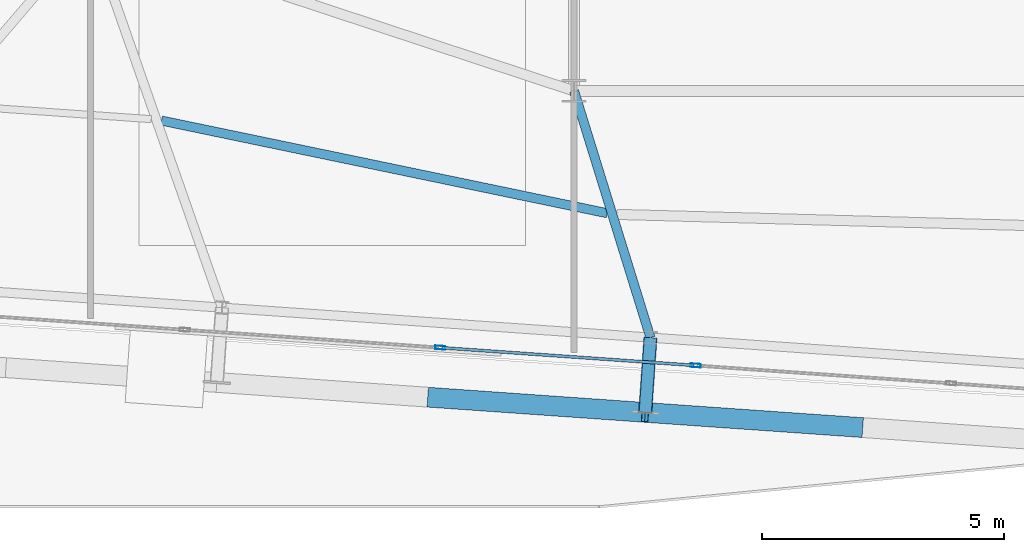
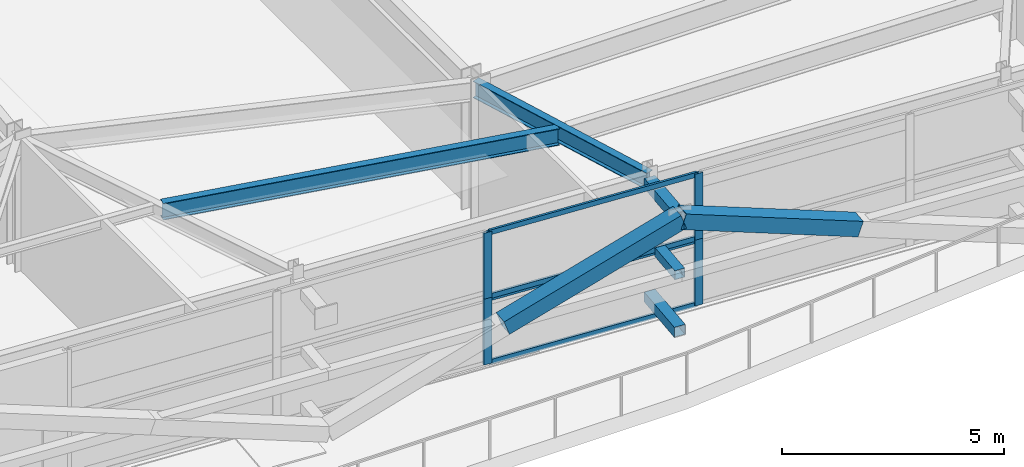
# One storey, part 8 of 36: 13 members, 2 beams, 2 elements without a shape of their own.
"""IFC4 building model written with IfcOpenShell, lengths in metres."""

from ifc_helpers import new_model, si_unit, direction, frame, origin, origin_2d, place, context, subcontext, project, spatial, hollow_rectangle, i_section, extrude, source, transform, mapped, material, layer, layer_set, material_profile, profile_set, type_object, element, aggregate, save


model = new_model("IFC4")

# Units and contexts
model_context = context("Model", 3, precision=1e-05, world=origin(), true_north=direction((0.0, 1.0)))
body_context = subcontext(model_context, "Body", "Model", "MODEL_VIEW")
ifc_project = project(units=[si_unit("LENGTHUNIT", "METRE"), si_unit("AREAUNIT", "SQUARE_METRE"), si_unit("VOLUMEUNIT", "CUBIC_METRE"), si_unit("PLANEANGLEUNIT", "RADIAN"), si_unit("MASSUNIT", "GRAM", prefix="KILO")], contexts=[model_context])

# Site, building, storey
site_placement = place(None, origin())
site = spatial("IfcSite", under=ifc_project, at=site_placement, CompositionType="ELEMENT")
building_placement = place(site_placement, origin())
building = spatial("IfcBuilding", under=site, at=building_placement, Name="Taldren Reach Tower", CompositionType="ELEMENT")
storey_placement = place(building_placement, frame((0.0, 0.0, 116.550048828125)))
storey = spatial("IfcBuildingStorey", under=building, at=storey_placement, Name="L35", CompositionType="ELEMENT", Elevation=116.550048828125)

# Members
ifc_material_1 = material(Name="Steel Gr 450 (C450L0)", Category="steel")
ifc_material_profile_1 = material_profile(ifc_material_1, hollow_rectangle(XDim=0.27490234375, YDim=0.27490234375, WallThickness=0.00927734375, at=origin_2d()), Name="275x275x9.3SHS")
ifc_profile_set_1 = profile_set([ifc_material_profile_1], Name="Steel Gr 450 (C450L0)")
member_type_1 = type_object("IfcMemberType", Name="MB-TIE273", PredefinedType="STRUT", material=ifc_profile_set_1)
shared_shape_1 = source(origin(), body_context, "Body", "SweptSolid", [
    extrude(hollow_rectangle(XDim=0.27490234375, YDim=0.27490234375, WallThickness=0.00927734375, at=origin_2d()), origin(), (0.0, 0.0, 1.0), 1.550048828125),
])
for number, where, z_axis, x_axis, name in (
    (1, (29.580322265625, 4.099609375, 3.349853515625), (-0.06976957191, -0.99756313426, 0.0), (0.99756313426, -0.06976957191, 0.0), "Exoskeleton diaphragm tie strut B3-S3 L35"),
    (2, (29.580322265625, 4.099609375, 0.219970703125), (-0.06976957191, -0.99756313426, 0.0), (0.99756313426, -0.06976957191, 0.0), "Exoskeleton base diaphragm tie strut B3-S3 L35"),
):
    element("IfcMember", number, at=place(storey_placement, frame(where, z_axis=z_axis, x_axis=x_axis)), inside=storey, type_object=member_type_1, Name=name, PredefinedType="STRUT", context=body_context, shape_type="MappedRepresentation", body=[
        mapped(shared_shape_1, transform((0.0, 0.0, 0.0), scale=1.0)),
    ])
ifc_material_2 = material(Name="Steel Gr 350 (C350L0)", Category="steel")
ifc_material_profile_2 = material_profile(ifc_material_2, hollow_rectangle(XDim=0.25, YDim=0.25, WallThickness=0.010009765625, at=origin_2d()), Name="250x250x10.0SHS")
ifc_profile_set_2 = profile_set([ifc_material_profile_2], Name="Steel Gr 350 (C350L0)")
member_type_2 = type_object("IfcMemberType", Name="MB-POST250", PredefinedType="POST", material=ifc_profile_set_2)
shared_shape_2 = source(origin(), body_context, "Body", "SweptSolid", [
    extrude(hollow_rectangle(XDim=0.25, YDim=0.25, WallThickness=0.010009765625, at=origin_2d()), origin(), (0.0, 0.0, 1.0), 1.550048828125),
])
member_1_placement = place(storey_placement, frame((29.580322265625, 4.099609375, 1.784912109375), z_axis=(-0.06976957191, -0.99756313426, 0.0), x_axis=(0.99756313426, -0.06976957191, 0.0)))
element("IfcMember", 3, at=member_1_placement, inside=storey, type_object=member_type_2, Name="Exoskeleton mid-tier diaphragm tie B3-S3 L35", PredefinedType="POST", context=body_context, shape_type="MappedRepresentation", body=[
    mapped(shared_shape_2, transform((0.0, 0.0, 0.0), scale=1.0)),
])

# Beams
ifc_material_3 = material(Name="Steel Gr 350 (350PLUS)", Category="steel")
ifc_material_profile_3 = material_profile(ifc_material_3, i_section(OverallWidth=0.19091796875, OverallDepth=0.4599609375, WebThickness=0.010009765625, FlangeThickness=0.01611328125, at=origin_2d()), Name="460UB82.1")
ifc_profile_set_3 = profile_set([ifc_material_profile_3], Name="Steel Gr 350 (350PLUS)")
beam_type = type_object("IfcBeamType", Name="BM-UB460A", PredefinedType="BEAM", material=ifc_profile_set_3)
shared_shape_3 = source(origin(), body_context, "Body", "SweptSolid", [
    extrude(i_section(OverallWidth=0.19091796875, OverallDepth=0.4599609375, WebThickness=0.010009765625, FlangeThickness=0.01611328125, at=origin_2d()), origin(), (0.0, 0.0, 1.0), 5.339599609375),
])
beam_1_placement = place(storey_placement, frame((28.0, 9.199951171875, 3.39990234375), z_axis=(0.295964865482, -0.955198826632, 0.0), x_axis=(0.955198826632, 0.295964865482, 0.0)))
element("IfcBeam", 4, at=beam_1_placement, inside=storey, type_object=beam_type, Name="Primary floor girder B3-S3 L35", PredefinedType="BEAM", context=body_context, shape_type="MappedRepresentation", body=[
    mapped(shared_shape_3, transform((0.0, 0.0, 0.0), scale=1.0)),
])
shared_shape_4 = source(origin(), body_context, "Body", "SweptSolid", [
    extrude(i_section(OverallWidth=0.19091796875, OverallDepth=0.4599609375, WebThickness=0.010009765625, FlangeThickness=0.01611328125, at=origin_2d()), origin(), (0.0, 0.0, 1.0), 9.410400390625),
])
beam_2_placement = place(storey_placement, frame((19.469970703125, 8.5869140625, 3.39990234375), z_axis=(0.97907399109, -0.20350459447, 0.0), x_axis=(0.20350459447, 0.97907399109, 0.0)))
element("IfcBeam", 5, at=beam_2_placement, inside=storey, type_object=beam_type, Name="Secondary floor beam B3 J2 L35", PredefinedType="BEAM", context=body_context, shape_type="MappedRepresentation", body=[
    mapped(shared_shape_4, transform((0.0, 0.0, 0.0), scale=1.0)),
])

# Members
ifc_material_profile_4 = material_profile(ifc_material_1, hollow_rectangle(XDim=0.409912109375, YDim=0.409912109375, WallThickness=0.01611328125, at=origin_2d()), Name="410x410x16.0SHS")
ifc_profile_set_4 = profile_set([ifc_material_profile_4], Name="Steel Gr 450 (C450L0)")
member_type_3 = type_object("IfcMemberType", Name="MB-EXO406", PredefinedType="BRACE", material=ifc_profile_set_4)
shared_shape_5 = source(origin(), body_context, "Body", "SweptSolid", [
    extrude(hollow_rectangle(XDim=0.409912109375, YDim=0.409912109375, WallThickness=0.01611328125, at=origin_2d()), origin(), (0.0, 0.0, 1.0), 4.707763671875),
])
for number, where, z_axis, x_axis, name in (
    (6, (25.04296875, 2.863037109375, 1.784912109375), (0.940833091628, -0.065809568585, 0.332418703414), (0.06977769246, 0.997562566276, 0.0), "Exoskeleton Diagrid Brace B3-S2 L35"),
    (7, (33.9013671875, 2.24365234375, 1.784912109375), (-0.940836301296, 0.065757933527, 0.332419837466), (-0.069722973508, -0.997566392259, 0.0), "Exoskeleton Diagrid Brace B3-S3 L35"),
):
    element("IfcMember", number, at=place(storey_placement, frame(where, z_axis=z_axis, x_axis=x_axis)), inside=storey, type_object=member_type_3, Name=name, PredefinedType="BRACE", context=body_context, shape_type="MappedRepresentation", body=[
        mapped(shared_shape_5, transform((0.0, 0.0, 0.0), scale=1.0)),
    ])

# Curtain wall, members
ifc_material_4 = material(Name="Aluminium and Low-E Glass Unitised System", Category="aluminium")
ifc_layer = layer(ifc_material_4, 0.159912109375)
ifc_layer_set = layer_set([ifc_layer], Name="Aluminium and Low-E Glass Unitised System")
curtain_wall_type = type_object("IfcCurtainWallType", Name="CW-SYS-7", PredefinedType="NOTDEFINED", material=ifc_layer_set)
curtain_wall_1_placement = place(storey_placement, origin())
curtain_wall_1 = element("IfcCurtainWall", 8, at=curtain_wall_1_placement, inside=storey, type_object=curtain_wall_type, Name="Unitised curtain wall CW-L35-S2", PredefinedType="NOTDEFINED")
ifc_material_5 = material(Name="Anodised Aluminium 6063-T6", Category="aluminium")
ifc_material_profile_5 = material_profile(ifc_material_5, hollow_rectangle(XDim=0.074951171875, YDim=0.2099609375, WallThickness=0.00439453125, at=origin_2d()), Name="ALU-210x75x4.5RHS")
ifc_profile_set_5 = profile_set([ifc_material_profile_5], Name="Anodised Aluminium 6063-T6")
member_type_4 = type_object("IfcMemberType", Name="CW-MUL-200", PredefinedType="MULLION", material=ifc_profile_set_5)
shared_shape_6 = source(origin(), body_context, "Body", "SweptSolid", [
    extrude(hollow_rectangle(XDim=0.074951171875, YDim=0.2099609375, WallThickness=0.00439453125, at=origin_2d()), origin(), (0.0, 0.0, 1.0), 1.81494140625),
])
member_2_placement = place(storey_placement, frame((25.232666015625, 3.892333984375, 0.0), z_axis=(0.0, 0.0, 1.0), x_axis=(0.069756548088, 0.997564045061, 0.0)))
member_2 = element("IfcMember", 9, at=member_2_placement, type_object=member_type_4, Name="CW-7 mullion 3", PredefinedType="MULLION", context=body_context, shape_type="MappedRepresentation", body=[
    mapped(shared_shape_6, transform((0.0, 0.0, 0.0), scale=1.0)),
])
member_3_placement = place(storey_placement, frame((30.513671875, 3.52294921875, 0.0), z_axis=(0.0, 0.0, 1.0), x_axis=(0.069756548088, 0.997564045061, 0.0)))
member_3 = element("IfcMember", 10, at=member_3_placement, type_object=member_type_4, Name="CW-7 mullion 4", PredefinedType="MULLION", context=body_context, shape_type="MappedRepresentation", body=[
    mapped(shared_shape_6, transform((0.0, 0.0, 0.0), scale=1.0)),
])

curtain_wall_2_placement = place(storey_placement, origin())
curtain_wall_2 = element("IfcCurtainWall", 11, at=curtain_wall_2_placement, inside=storey, type_object=curtain_wall_type, Name="Unitised curtain wall CW-L35-S2-T2", PredefinedType="NOTDEFINED")
member_4_placement = place(storey_placement, frame((25.232666015625, 3.892333984375, 1.81494140625), z_axis=(0.0, 0.0, 1.0), x_axis=(0.069756548088, 0.997564045061, 0.0)))
member_4 = element("IfcMember", 12, at=member_4_placement, type_object=member_type_4, Name="CW-7 mullion 3", PredefinedType="MULLION", context=body_context, shape_type="MappedRepresentation", body=[
    mapped(shared_shape_6, transform((0.0, 0.0, 0.0), scale=1.0)),
])
member_5_placement = place(storey_placement, frame((30.513671875, 3.52294921875, 1.81494140625), z_axis=(0.0, 0.0, 1.0), x_axis=(0.069756548088, 0.997564045061, 0.0)))
member_5 = element("IfcMember", 13, at=member_5_placement, type_object=member_type_4, Name="CW-7 mullion 4", PredefinedType="MULLION", context=body_context, shape_type="MappedRepresentation", body=[
    mapped(shared_shape_6, transform((0.0, 0.0, 0.0), scale=1.0)),
])

# Member
ifc_material_profile_6 = material_profile(ifc_material_5, hollow_rectangle(XDim=0.06005859375, YDim=0.135009765625, WallThickness=0.00341796875, at=origin_2d()), Name="ALU-135x60x3.5RHS")
ifc_profile_set_6 = profile_set([ifc_material_profile_6], Name="Anodised Aluminium 6063-T6")
member_type_5 = type_object("IfcMemberType", Name="CW-TRN-150", PredefinedType="USERDEFINED", material=ifc_profile_set_6)
shared_shape_7 = source(origin(), body_context, "Body", "SweptSolid", [
    extrude(hollow_rectangle(XDim=0.06005859375, YDim=0.135009765625, WallThickness=0.00341796875, at=origin_2d()), origin(), (0.0, 0.0, 1.0), 5.21875),
])
member_6_placement = place(storey_placement, frame((25.270263671875, 3.8896484375, 0.030029296875), z_axis=(0.997564438731, -0.069750918127, 0.0), x_axis=(0.069750918127, 0.997564438731, 0.0)))
member_6 = element("IfcMember", 14, at=member_6_placement, type_object=member_type_5, Name="CW-7 transom 3.1", ObjectType="TRANSOM", PredefinedType="USERDEFINED", context=body_context, shape_type="MappedRepresentation", body=[
    mapped(shared_shape_7, transform((0.0, 0.0, 0.0), scale=1.0)),
])

member_7_placement = place(storey_placement, frame((25.270263671875, 3.8896484375, 1.784912109375), z_axis=(0.997564438731, -0.069750918127, 0.0), x_axis=(0.069750918127, 0.997564438731, 0.0)))
member_7 = element("IfcMember", 15, at=member_7_placement, type_object=member_type_5, Name="CW-7 transom 3.2", ObjectType="TRANSOM", PredefinedType="USERDEFINED", context=body_context, shape_type="MappedRepresentation", body=[
    mapped(shared_shape_7, transform((0.0, 0.0, 0.0), scale=1.0)),
])

aggregate(curtain_wall_1, [member_2, member_3, member_6, member_7])

member_8_placement = place(storey_placement, frame((25.270263671875, 3.8896484375, 1.844970703125), z_axis=(0.997564438731, -0.069750918127, 0.0), x_axis=(0.069750918127, 0.997564438731, 0.0)))
member_8 = element("IfcMember", 16, at=member_8_placement, type_object=member_type_5, Name="CW-7 transom 3.1", ObjectType="TRANSOM", PredefinedType="USERDEFINED", context=body_context, shape_type="MappedRepresentation", body=[
    mapped(shared_shape_7, transform((0.0, 0.0, 0.0), scale=1.0)),
])

member_9_placement = place(storey_placement, frame((25.270263671875, 3.8896484375, 3.599853515625), z_axis=(0.997564438731, -0.069750918127, 0.0), x_axis=(0.069750918127, 0.997564438731, 0.0)))
member_9 = element("IfcMember", 17, at=member_9_placement, type_object=member_type_5, Name="CW-7 transom 3.2", ObjectType="TRANSOM", PredefinedType="USERDEFINED", context=body_context, shape_type="MappedRepresentation", body=[
    mapped(shared_shape_7, transform((0.0, 0.0, 0.0), scale=1.0)),
])

aggregate(curtain_wall_2, [member_4, member_5, member_8, member_9])

save(model, "model.ifc")
